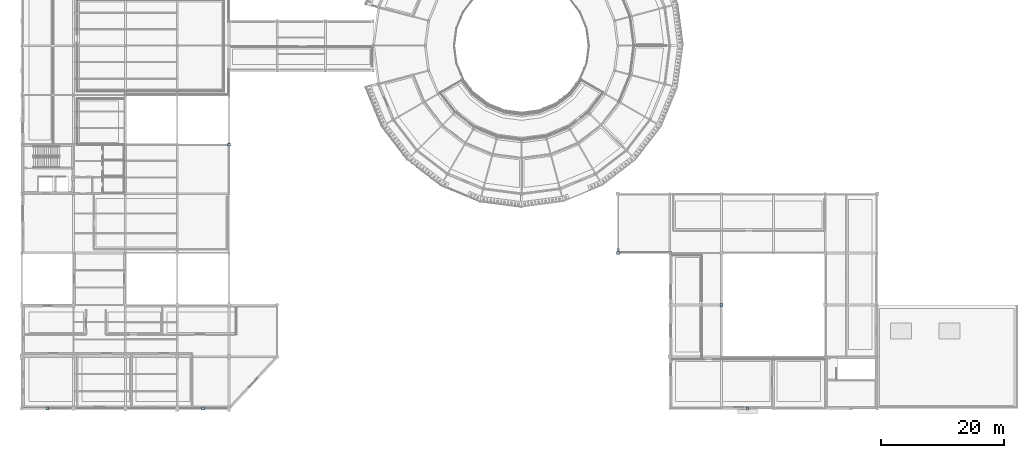
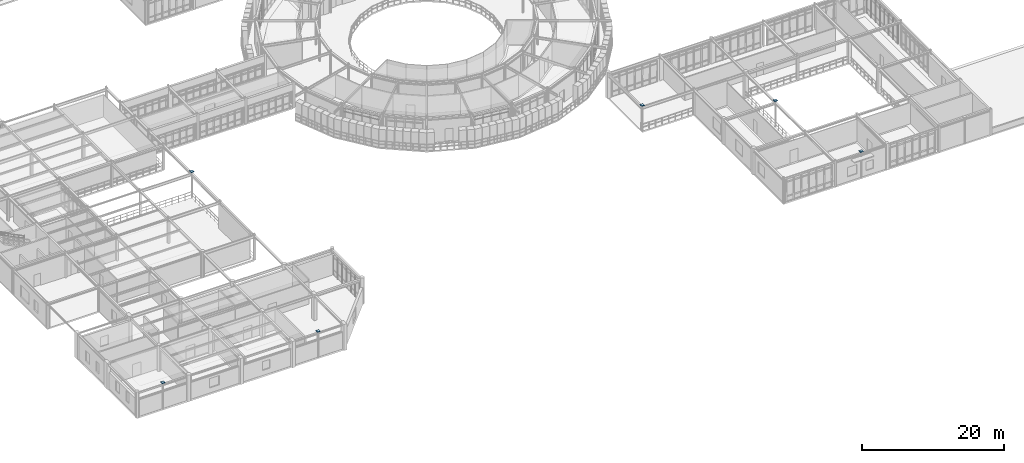
# One storey, part 78 of 106: 6 plates.
"""IFC4 building model written with IfcOpenShell, lengths in metres."""

from ifc_helpers import new_model, si_unit, derived_unit, direction, frame, origin, origin_2d, place, context, subcontext, project, spatial, rectangle, extrude, material, layer, layer_set, type_object, element, save


model = new_model("IFC4")

# Units and contexts
model_context = context("Model", 3, precision=1e-05, world=origin(), true_north=direction((0.0, 1.0)))
body_context = subcontext(model_context, "Body", "Model", "MODEL_VIEW")
ifc_project = project(units=[si_unit("LENGTHUNIT", "METRE"), si_unit("AREAUNIT", "SQUARE_METRE"), si_unit("VOLUMEUNIT", "CUBIC_METRE"), si_unit("PLANEANGLEUNIT", "RADIAN"), si_unit("MASSUNIT", "GRAM", prefix="KILO"), derived_unit("THERMALTRANSMITTANCEUNIT", [(si_unit("POWERUNIT", "WATT"), 1), (si_unit("AREAUNIT", "SQUARE_METRE"), -1), (si_unit("THERMODYNAMICTEMPERATUREUNIT", "KELVIN"), -1)])], contexts=[model_context])

# Site, building, storey
site_placement = place(None, origin())
site = spatial("IfcSite", under=ifc_project, at=site_placement, CompositionType="ELEMENT")
building_placement = place(site_placement, origin())
building = spatial("IfcBuilding", under=site, at=building_placement, Name="Yasenodar Specialist Clinic", CompositionType="ELEMENT")
storey_placement = place(building_placement, frame((0.0, 0.0, 4.5)))
storey = spatial("IfcBuildingStorey", under=building, at=storey_placement, Name="L01", CompositionType="ELEMENT", Elevation=4.5)

# Plates
ifc_material = material(Name="Steel S355", Category="steel")
ifc_layer = layer(ifc_material, 0.028076171875)
ifc_layer_set = layer_set([ifc_layer], Name="Steel S355")
plate_type = type_object("IfcPlateType", Name="PL-STEEL-06", PredefinedType="USERDEFINED", material=ifc_layer_set)
for number, where, z_axis, x_axis, name in (
    (1, (33.60009765625, 42.800048828125, 4.5), (0.0, 0.0, 1.0), (1.0, 0.0, 0.0), "L01 Hollow Column Top Cap Plate 009"),
    (2, (96.60009765625, 25.199951171875, 4.5), (0.0, 0.0, 1.0), (1.0, 0.0, 0.0), "L01 Hollow Column Top Cap Plate 015"),
    (3, (113.39990234375, 16.800048828125, 4.5), (0.0, 0.0, 1.0), (1.0, 0.0, 0.0), "L01 Hollow Column Top Cap Plate 017"),
    (4, (117.60009765625, 0.0, 4.5), (0.0, 0.0, 1.0), (1.0, 0.0, 0.0), "L01 Hollow Column Top Cap Plate 022"),
    (5, (4.199951171875, 0.0, 4.5), (0.0, 0.0, 1.0), (1.0, 0.0, 0.0), "L01 Hollow Column Top Cap Plate 024"),
    (6, (29.39990234375, 0.0, 4.5), (0.0, 0.0, 1.0), (1.0, 0.0, 0.0), "L01 Hollow Column Top Cap Plate 025"),
):
    element("IfcPlate", number, at=place(storey_placement, frame(where, z_axis=z_axis, x_axis=x_axis)), inside=storey, type_object=plate_type, Name=name, ObjectType="CAP_PLATE", PredefinedType="USERDEFINED", context=body_context, shape_type="SweptSolid", body=[
        extrude(rectangle(XDim=0.47998046875, YDim=0.47998046875, at=origin_2d()), origin(), (0.0, 0.0, 1.0), 0.028076171875),
    ])

save(model, "model.ifc")
